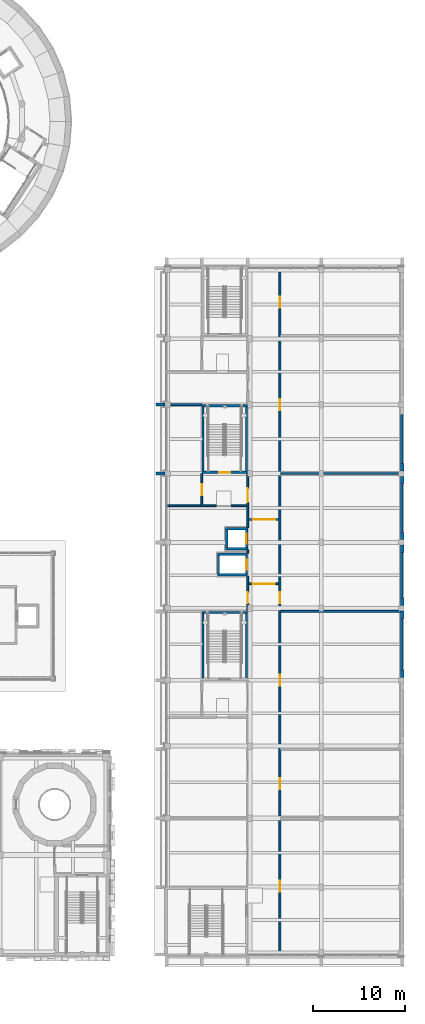
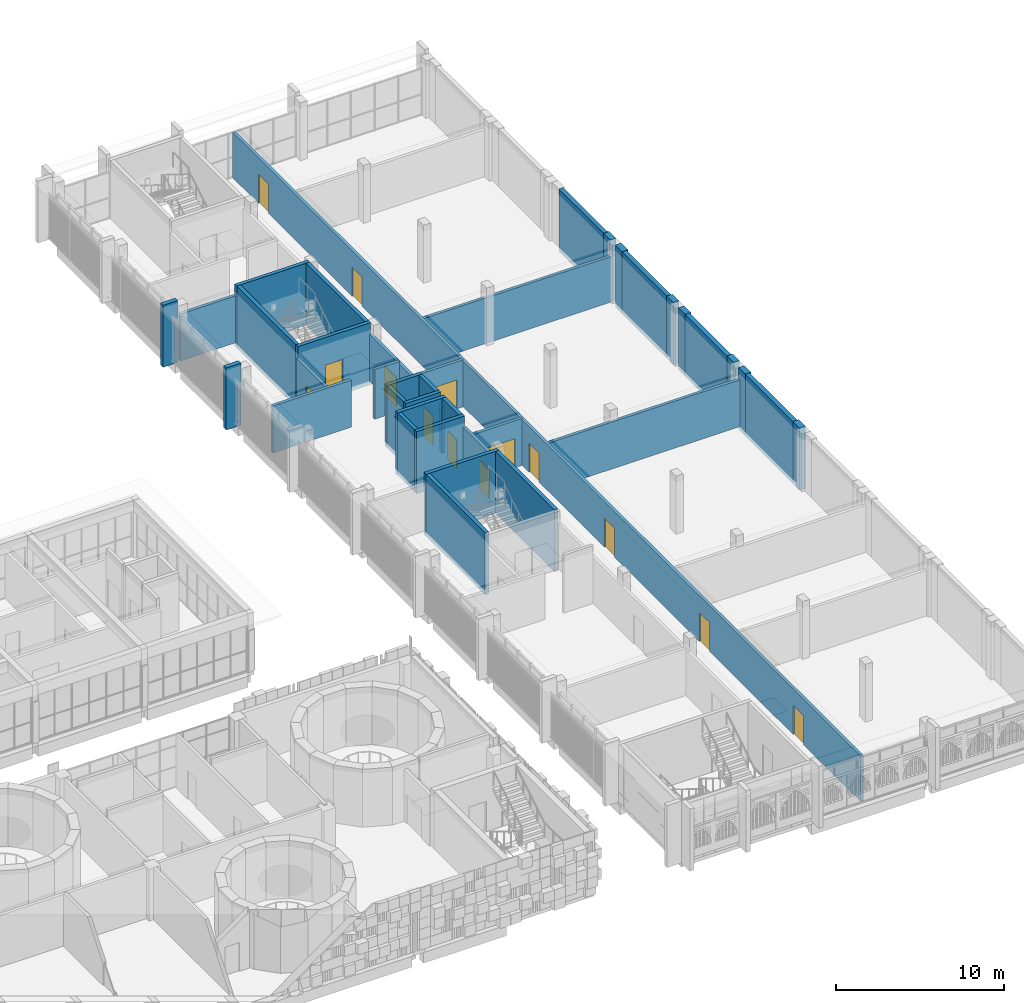
# One storey, part 51 of 92: 40 walls, 14 doors, 14 openings.
"""IFC4 building model written with IfcOpenShell, lengths in metres."""

from ifc_helpers import new_model, si_unit, direction, frame, frame_2d, origin, place, context, subcontext, project, spatial, rectangle, extrude, material, layer, layer_set, type_object, element, fill, save


model = new_model("IFC4")

# Units and contexts
model_context = context("Model", 3, precision=1e-05, world=origin(), true_north=direction((0.0, 1.0)))
body_context = subcontext(model_context, "Body", "Model", "MODEL_VIEW")
ifc_project = project(units=[si_unit("LENGTHUNIT", "METRE"), si_unit("AREAUNIT", "SQUARE_METRE"), si_unit("VOLUMEUNIT", "CUBIC_METRE"), si_unit("PLANEANGLEUNIT", "RADIAN"), si_unit("MASSUNIT", "GRAM", prefix="KILO")], contexts=[model_context])

# Site, building, storey
site_placement = place(None, origin())
site = spatial("IfcSite", under=ifc_project, at=site_placement, CompositionType="ELEMENT")
building_placement = place(site_placement, origin())
building = spatial("IfcBuilding", under=site, at=building_placement, Name="Sun Court Science Centre", CompositionType="ELEMENT")
storey_placement = place(building_placement, frame((0.0, 0.0, 11.25)))
storey = spatial("IfcBuildingStorey", under=building, at=storey_placement, Name="L02", CompositionType="ELEMENT", Elevation=11.25)

# Walls
ifc_material_1 = material(Name="Concrete C30/37", Category="concrete")
ifc_layer_1 = layer(ifc_material_1, 0.300048828125)
ifc_layer_set_1 = layer_set([ifc_layer_1], Name="Concrete C30/37")
wall_type_1 = type_object("IfcWallType", Name="Facade fin RC 300", PredefinedType="SOLIDWALL", material=ifc_layer_set_1)
for number, where, z_axis, x_axis, name in (
    (1, (77.0, 58.5, 0.0), (0.0, 0.0, 1.0), (1.0, 0.0, 0.0), "Facade fin 08 L02"),
    (2, (77.0, 66.0, 0.0), (0.0, 0.0, 1.0), (1.0, 0.0, 0.0), "Facade fin 09 L02"),
):
    element("IfcWall", number, at=place(storey_placement, frame(where, z_axis=z_axis, x_axis=x_axis)), inside=storey, type_object=wall_type_1, Name=name, PredefinedType="SOLIDWALL", context=body_context, shape_type="SweptSolid", body=[
        extrude(rectangle(XDim=1.0, YDim=0.300048828125, at=frame_2d((0.5, 0.0))), origin(), (0.0, 0.0, 1.0), 4.5),
    ])
ifc_material_2 = material(Name="Gypsum board")
ifc_layer_2 = layer(ifc_material_2, 0.199951171875)
ifc_layer_set_2 = layer_set([ifc_layer_2], Name="Gypsum board")
wall_type_2 = type_object("IfcWallType", Name="Partition 200 acoustic double stud", PredefinedType="PARTITIONING", material=ifc_layer_set_2)
wall_1_placement = place(storey_placement, frame((90.60009765625, 43.5, 0.0), z_axis=(0.0, 0.0, 1.0), x_axis=(1.0, 0.0, 0.0)))
element("IfcWall", 3, at=wall_1_placement, inside=storey, type_object=wall_type_2, Name="L02 partition 007", PredefinedType="PARTITIONING", context=body_context, shape_type="SweptSolid", body=[
    extrude(rectangle(XDim=12.997802734375, YDim=0.199951171875, at=frame_2d((6.4990234375, 0.0))), origin(), (0.0, 0.0, 1.0), 3.39990234375),
])
wall_2_placement = place(storey_placement, frame((90.60009765625, 58.5, 0.0), z_axis=(0.0, 0.0, 1.0), x_axis=(1.0, 0.0, 0.0)))
element("IfcWall", 4, at=wall_2_placement, inside=storey, type_object=wall_type_2, Name="L02 partition 012", PredefinedType="PARTITIONING", context=body_context, shape_type="SweptSolid", body=[
    extrude(rectangle(XDim=13.199951171875, YDim=0.199951171875, at=frame_2d((6.60009765625, 0.0))), origin(), (0.0, 0.0, 1.0), 3.300048828125),
])
wall_3_placement = place(storey_placement, frame((78.199951171875, 66.0, 0.0), z_axis=(0.0, 0.0, 1.0), x_axis=(1.0, 0.0, 0.0)))
element("IfcWall", 5, at=wall_3_placement, inside=storey, type_object=wall_type_2, Name="L02 partition 013", PredefinedType="PARTITIONING", context=body_context, shape_type="SweptSolid", body=[
    extrude(rectangle(XDim=3.798095703125, YDim=0.199951171875, at=frame_2d((1.89892578125, 0.0))), origin(), (0.0, 0.0, 1.0), 3.39990234375),
])
ifc_material_3 = material(Name="Concrete block", Category="concrete")
ifc_layer_3 = layer(ifc_material_3, 0.199951171875)
ifc_layer_set_3 = layer_set([ifc_layer_3], Name="Concrete block")
wall_type_3 = type_object("IfcWallType", Name="Partition 200 block EI60", PredefinedType="PARTITIONING", material=ifc_layer_set_3)
wall_4_placement = place(storey_placement, frame((78.199951171875, 55.0, 0.0), z_axis=(0.0, 0.0, 1.0), x_axis=(1.0, 0.0, 0.0)))
element("IfcWall", 6, at=wall_4_placement, inside=storey, type_object=wall_type_3, Name="L02 partition 010", PredefinedType="PARTITIONING", context=body_context, shape_type="SweptSolid", body=[
    extrude(rectangle(XDim=5.400146484375, YDim=0.199951171875, at=frame_2d((2.7001953125, 0.0))), origin(), (0.0, 0.0, 1.0), 3.39990234375),
])
wall_5_placement = place(storey_placement, frame((85.199951171875, 55.0, 0.0), z_axis=(0.0, 0.0, 1.0), x_axis=(1.0, 0.0, 0.0)))
element("IfcWall", 7, at=wall_5_placement, inside=storey, type_object=wall_type_3, Name="L02 partition 011", PredefinedType="PARTITIONING", context=body_context, shape_type="SweptSolid", body=[
    extrude(rectangle(XDim=1.699951171875, YDim=0.199951171875, at=frame_2d((0.85009765625, 0.0))), origin(), (0.0, 0.0, 1.0), 3.60009765625),
])
wall_6_placement = place(storey_placement, frame((87.0, 49.85205078125, 0.0), z_axis=(0.0, 0.0, 1.0), x_axis=(0.0, 1.0, 0.0)))
element("IfcWall", 8, at=wall_6_placement, inside=storey, type_object=wall_type_3, Name="L02 partition 020", PredefinedType="PARTITIONING", context=body_context, shape_type="SweptSolid", body=[
    extrude(rectangle(XDim=0.33349609375, YDim=0.199951171875, at=frame_2d((0.166748046875, 0.0))), origin(), (0.0, 0.0, 1.0), 3.39990234375),
])

# Wall, opening, door
wall_7_placement = place(storey_placement, frame((82.0, 55.10009765625, 0.0), z_axis=(0.0, 0.0, 1.0), x_axis=(0.0, 1.0, 0.0)))
wall_7 = element("IfcWall", 9, at=wall_7_placement, inside=storey, type_object=wall_type_3, Name="L02 partition 024", PredefinedType="PARTITIONING", context=body_context, shape_type="SweptSolid", body=[
    extrude(rectangle(XDim=3.39794921875, YDim=0.199951171875, at=frame_2d((1.698974609375, 0.0))), origin(), (0.0, 0.0, 1.0), 3.39990234375),
])
opening_1_placement = place(wall_7_placement, frame((1.051025390625, 0.0, 0.0)))
opening_1 = element("IfcOpeningElement", 10, at=opening_1_placement, cuts=wall_7, Name="Opening D-L02-042", PredefinedType="OPENING", context=body_context, shape_type="SweptSolid", body=[
    extrude(rectangle(XDim=1.199951171875, YDim=2.10009765625, at=frame_2d((0.60009765625, 1.050048828125))), frame((0.0, 0.10986328125, 0.0), z_axis=(0.0, -1.0, 0.0), x_axis=(1.0, 0.0, 0.0)), (0.0, 0.0, 1.0), 0.219970703125),
])
ifc_material_4 = material(Name="Timber", Category="wood")
door_type_1 = type_object("IfcDoorType", Name="Door 1200x2100 single leaf", OperationType="NOTDEFINED", PredefinedType="DOOR", material=ifc_material_4)
door_1_placement = place(opening_1_placement, origin())
door_1 = element("IfcDoor", 11, at=door_1_placement, inside=storey, type_object=door_type_1, Name="Door D-L02-042", OperationType="SINGLE_SWING_RIGHT", OverallHeight=2.10009765625, OverallWidth=1.199951171875, PredefinedType="DOOR", context=body_context, shape_type="SweptSolid", body=[
    extrude(rectangle(XDim=1.199951171875, YDim=2.10009765625, at=frame_2d((0.60009765625, 1.050048828125))), frame((0.0, 0.02490234375, 0.0), z_axis=(0.0, -1.0, 0.0), x_axis=(1.0, 0.0, 0.0)), (0.0, 0.0, 1.0), 0.050048828125),
])
fill(opening_1, door_1)

ifc_material_5 = material(Name="Concrete block", Category="concrete")
ifc_layer_4 = layer(ifc_material_5, 0.199951171875)
ifc_layer_set_4 = layer_set([ifc_layer_4], Name="Concrete block")
wall_type_4 = type_object("IfcWallType", Name="Partition 200 corridor block EI120", PredefinedType="PARTITIONING", material=ifc_layer_set_4)
wall_8_placement = place(storey_placement, frame((90.39990234375, 46.5, 0.0), z_axis=(0.0, 0.0, 1.0), x_axis=(-1.0, 0.0, 0.0)))
wall_8 = element("IfcWall", 12, at=wall_8_placement, inside=storey, type_object=wall_type_4, Name="L02 partition 008", PredefinedType="PARTITIONING", context=body_context, shape_type="SweptSolid", body=[
    extrude(rectangle(XDim=3.2998046875, YDim=0.199951171875, at=frame_2d((1.64990234375, 0.0))), origin(), (0.0, 0.0, 1.0), 3.39990234375),
])
opening_2_placement = place(wall_8_placement, frame((0.47705078125, 0.0, 0.0)))
opening_2 = element("IfcOpeningElement", 13, at=opening_2_placement, cuts=wall_8, Name="Opening D-L02-030", PredefinedType="OPENING", context=body_context, shape_type="SweptSolid", body=[
    extrude(rectangle(XDim=2.39990234375, YDim=2.10009765625, at=frame_2d((1.199951171875, 1.050048828125))), frame((0.0, 0.10986328125, 0.0), z_axis=(0.0, -1.0, 0.0), x_axis=(1.0, 0.0, 0.0)), (0.0, 0.0, 1.0), 0.219970703125),
])
ifc_material_6 = material(Name="Steel", Category="steel")
door_type_2 = type_object("IfcDoorType", Name="Door 2400x2100 double leaf FD60", OperationType="DOUBLE_DOOR_SINGLE_SWING", PredefinedType="DOOR", material=ifc_material_6)
door_2_placement = place(opening_2_placement, origin())
door_2 = element("IfcDoor", 14, at=door_2_placement, inside=storey, type_object=door_type_2, Name="Door D-L02-030", OperationType="DOUBLE_DOOR_SINGLE_SWING", OverallHeight=2.10009765625, OverallWidth=2.39990234375, PredefinedType="DOOR", context=body_context, shape_type="SweptSolid", body=[
    extrude(rectangle(XDim=2.39990234375, YDim=2.10009765625, at=frame_2d((1.199951171875, 1.050048828125))), frame((0.0, 0.02490234375, 0.0), z_axis=(0.0, -1.0, 0.0), x_axis=(1.0, 0.0, 0.0)), (0.0, 0.0, 1.0), 0.050048828125),
])
fill(opening_2, door_2)

wall_9_placement = place(storey_placement, frame((87.10009765625, 53.5, 0.0), z_axis=(0.0, 0.0, 1.0), x_axis=(1.0, 0.0, 0.0)))
wall_9 = element("IfcWall", 15, at=wall_9_placement, inside=storey, type_object=wall_type_4, Name="L02 partition 009", PredefinedType="PARTITIONING", context=body_context, shape_type="SweptSolid", body=[
    extrude(rectangle(XDim=3.2998046875, YDim=0.199951171875, at=frame_2d((1.64990234375, 0.0))), origin(), (0.0, 0.0, 1.0), 3.39990234375),
])
opening_3_placement = place(wall_9_placement, frame((0.47705078125, 0.0, 0.0)))
opening_3 = element("IfcOpeningElement", 16, at=opening_3_placement, cuts=wall_9, Name="Opening D-L02-027", PredefinedType="OPENING", context=body_context, shape_type="SweptSolid", body=[
    extrude(rectangle(XDim=2.39990234375, YDim=2.10009765625, at=frame_2d((1.199951171875, 1.050048828125))), frame((0.0, 0.10986328125, 0.0), z_axis=(0.0, -1.0, 0.0), x_axis=(1.0, 0.0, 0.0)), (0.0, 0.0, 1.0), 0.219970703125),
])
door_3_placement = place(opening_3_placement, origin())
door_3 = element("IfcDoor", 17, at=door_3_placement, inside=storey, type_object=door_type_2, Name="Door D-L02-027", OperationType="DOUBLE_DOOR_SINGLE_SWING", OverallHeight=2.10009765625, OverallWidth=2.39990234375, PredefinedType="DOOR", context=body_context, shape_type="SweptSolid", body=[
    extrude(rectangle(XDim=2.39990234375, YDim=2.10009765625, at=frame_2d((1.199951171875, 1.050048828125))), frame((0.0, 0.02490234375, 0.0), z_axis=(0.0, -1.0, 0.0), x_axis=(1.0, 0.0, 0.0)), (0.0, 0.0, 1.0), 0.050048828125),
])
fill(opening_3, door_3)

# Wall, openings, doors
wall_10_placement = place(storey_placement, frame((90.5, 80.800048828125, 0.0), z_axis=(0.0, 0.0, 1.0), x_axis=(0.0, -1.0, 0.0)))
wall_10 = element("IfcWall", 18, at=wall_10_placement, inside=storey, type_object=wall_type_4, Name="L02 partition 017", PredefinedType="PARTITIONING", context=body_context, shape_type="SweptSolid", body=[
    extrude(rectangle(XDim=74.60009765625, YDim=0.199951171875, at=frame_2d((37.300048828125, 0.0))), origin(), (0.0, 0.0, 1.0), 3.300048828125),
])
opening_4_placement = place(wall_10_placement, frame((66.60009765625, 0.0, 0.0)))
opening_4 = element("IfcOpeningElement", 19, at=opening_4_placement, cuts=wall_10, Name="Opening D-L02-045", PredefinedType="OPENING", context=body_context, shape_type="SweptSolid", body=[
    extrude(rectangle(XDim=1.199951171875, YDim=2.10009765625, at=frame_2d((0.60009765625, 1.050048828125))), frame((0.0, 0.10986328125, 0.0), z_axis=(0.0, -1.0, 0.0), x_axis=(1.0, 0.0, 0.0)), (0.0, 0.0, 1.0), 0.219970703125),
])
opening_5_placement = place(wall_10_placement, frame((55.449951171875, 0.0, 0.0)))
opening_5 = element("IfcOpeningElement", 20, at=opening_5_placement, cuts=wall_10, Name="Opening D-L02-046", PredefinedType="OPENING", context=body_context, shape_type="SweptSolid", body=[
    extrude(rectangle(XDim=1.199951171875, YDim=2.10009765625, at=frame_2d((0.60009765625, 1.050048828125))), frame((0.0, 0.10986328125, 0.0), z_axis=(0.0, -1.0, 0.0), x_axis=(1.0, 0.0, 0.0)), (0.0, 0.0, 1.0), 0.219970703125),
])
opening_6_placement = place(wall_10_placement, frame((44.199951171875, 0.0, 0.0)))
opening_6 = element("IfcOpeningElement", 21, at=opening_6_placement, cuts=wall_10, Name="Opening D-L02-047", PredefinedType="OPENING", context=body_context, shape_type="SweptSolid", body=[
    extrude(rectangle(XDim=1.199951171875, YDim=2.10009765625, at=frame_2d((0.60009765625, 1.050048828125))), frame((0.0, 0.10986328125, 0.0), z_axis=(0.0, -1.0, 0.0), x_axis=(1.0, 0.0, 0.0)), (0.0, 0.0, 1.0), 0.219970703125),
])
opening_7_placement = place(wall_10_placement, frame((35.198974609375, 0.0, 0.0)))
opening_7 = element("IfcOpeningElement", 22, at=opening_7_placement, cuts=wall_10, Name="Opening D-L02-048", PredefinedType="OPENING", context=body_context, shape_type="SweptSolid", body=[
    extrude(rectangle(XDim=1.199951171875, YDim=2.10009765625, at=frame_2d((0.60009765625, 1.050048828125))), frame((0.0, 0.10986328125, 0.0), z_axis=(0.0, -1.0, 0.0), x_axis=(1.0, 0.0, 0.0)), (0.0, 0.0, 1.0), 0.219970703125),
])
opening_8_placement = place(wall_10_placement, frame((14.199951171875, 0.0, 0.0)))
opening_8 = element("IfcOpeningElement", 23, at=opening_8_placement, cuts=wall_10, Name="Opening D-L02-049", PredefinedType="OPENING", context=body_context, shape_type="SweptSolid", body=[
    extrude(rectangle(XDim=1.199951171875, YDim=2.10009765625, at=frame_2d((0.60009765625, 1.050048828125))), frame((0.0, 0.10986328125, 0.0), z_axis=(0.0, -1.0, 0.0), x_axis=(1.0, 0.0, 0.0)), (0.0, 0.0, 1.0), 0.219970703125),
])
opening_9_placement = place(wall_10_placement, frame((3.074951171875, 0.0, 0.0)))
opening_9 = element("IfcOpeningElement", 24, at=opening_9_placement, cuts=wall_10, Name="Opening D-L02-050", PredefinedType="OPENING", context=body_context, shape_type="SweptSolid", body=[
    extrude(rectangle(XDim=1.199951171875, YDim=2.10009765625, at=frame_2d((0.60009765625, 1.050048828125))), frame((0.0, 0.10986328125, 0.0), z_axis=(0.0, -1.0, 0.0), x_axis=(1.0, 0.0, 0.0)), (0.0, 0.0, 1.0), 0.219970703125),
])
ifc_material_7 = material(Name="Steel", Category="steel")
door_type_3 = type_object("IfcDoorType", Name="Door 1200x2100 single leaf FD60", OperationType="NOTDEFINED", PredefinedType="DOOR", material=ifc_material_7)
door_4_placement = place(opening_4_placement, origin())
door_4 = element("IfcDoor", 25, at=door_4_placement, inside=storey, type_object=door_type_3, Name="Door D-L02-045", OperationType="SINGLE_SWING_LEFT", OverallHeight=2.10009765625, OverallWidth=1.199951171875, PredefinedType="DOOR", context=body_context, shape_type="SweptSolid", body=[
    extrude(rectangle(XDim=1.199951171875, YDim=2.10009765625, at=frame_2d((0.60009765625, 1.050048828125))), frame((0.0, 0.02490234375, 0.0), z_axis=(0.0, -1.0, 0.0), x_axis=(1.0, 0.0, 0.0)), (0.0, 0.0, 1.0), 0.050048828125),
])
fill(opening_4, door_4)
door_5_placement = place(opening_5_placement, origin())
door_5 = element("IfcDoor", 26, at=door_5_placement, inside=storey, type_object=door_type_3, Name="Door D-L02-046", OperationType="SINGLE_SWING_LEFT", OverallHeight=2.10009765625, OverallWidth=1.199951171875, PredefinedType="DOOR", context=body_context, shape_type="SweptSolid", body=[
    extrude(rectangle(XDim=1.199951171875, YDim=2.10009765625, at=frame_2d((0.60009765625, 1.050048828125))), frame((0.0, 0.02490234375, 0.0), z_axis=(0.0, -1.0, 0.0), x_axis=(1.0, 0.0, 0.0)), (0.0, 0.0, 1.0), 0.050048828125),
])
fill(opening_5, door_5)
door_6_placement = place(opening_6_placement, origin())
door_6 = element("IfcDoor", 27, at=door_6_placement, inside=storey, type_object=door_type_3, Name="Door D-L02-047", OperationType="SINGLE_SWING_LEFT", OverallHeight=2.10009765625, OverallWidth=1.199951171875, PredefinedType="DOOR", context=body_context, shape_type="SweptSolid", body=[
    extrude(rectangle(XDim=1.199951171875, YDim=2.10009765625, at=frame_2d((0.60009765625, 1.050048828125))), frame((0.0, 0.02490234375, 0.0), z_axis=(0.0, -1.0, 0.0), x_axis=(1.0, 0.0, 0.0)), (0.0, 0.0, 1.0), 0.050048828125),
])
fill(opening_6, door_6)
door_7_placement = place(opening_7_placement, origin())
door_7 = element("IfcDoor", 28, at=door_7_placement, inside=storey, type_object=door_type_3, Name="Door D-L02-048", OperationType="SINGLE_SWING_RIGHT", OverallHeight=2.10009765625, OverallWidth=1.199951171875, PredefinedType="DOOR", context=body_context, shape_type="SweptSolid", body=[
    extrude(rectangle(XDim=1.199951171875, YDim=2.10009765625, at=frame_2d((0.60009765625, 1.050048828125))), frame((0.0, 0.02490234375, 0.0), z_axis=(0.0, -1.0, 0.0), x_axis=(1.0, 0.0, 0.0)), (0.0, 0.0, 1.0), 0.050048828125),
])
fill(opening_7, door_7)
door_8_placement = place(opening_8_placement, origin())
door_8 = element("IfcDoor", 29, at=door_8_placement, inside=storey, type_object=door_type_3, Name="Door D-L02-049", OperationType="SINGLE_SWING_RIGHT", OverallHeight=2.10009765625, OverallWidth=1.199951171875, PredefinedType="DOOR", context=body_context, shape_type="SweptSolid", body=[
    extrude(rectangle(XDim=1.199951171875, YDim=2.10009765625, at=frame_2d((0.60009765625, 1.050048828125))), frame((0.0, 0.02490234375, 0.0), z_axis=(0.0, -1.0, 0.0), x_axis=(1.0, 0.0, 0.0)), (0.0, 0.0, 1.0), 0.050048828125),
])
fill(opening_8, door_8)
door_9_placement = place(opening_9_placement, origin())
door_9 = element("IfcDoor", 30, at=door_9_placement, inside=storey, type_object=door_type_3, Name="Door D-L02-050", OperationType="SINGLE_SWING_RIGHT", OverallHeight=2.10009765625, OverallWidth=1.199951171875, PredefinedType="DOOR", context=body_context, shape_type="SweptSolid", body=[
    extrude(rectangle(XDim=1.199951171875, YDim=2.10009765625, at=frame_2d((0.60009765625, 1.050048828125))), frame((0.0, 0.02490234375, 0.0), z_axis=(0.0, -1.0, 0.0), x_axis=(1.0, 0.0, 0.0)), (0.0, 0.0, 1.0), 0.050048828125),
])
fill(opening_9, door_9)

# Wall, opening, door
wall_11_placement = place(storey_placement, frame((87.0, 43.501953125, 0.0), z_axis=(0.0, 0.0, 1.0), x_axis=(0.0, 1.0, 0.0)))
wall_11 = element("IfcWall", 31, at=wall_11_placement, inside=storey, type_object=wall_type_4, Name="L02 partition 019", PredefinedType="PARTITIONING", context=body_context, shape_type="SweptSolid", body=[
    extrude(rectangle(XDim=3.845947265625, YDim=0.199951171875, at=frame_2d((1.9228515625, 0.0))), origin(), (0.0, 0.0, 1.0), 3.39990234375),
])
opening_10_placement = place(wall_11_placement, frame((0.89892578125, 0.0, 0.0)))
opening_10 = element("IfcOpeningElement", 32, at=opening_10_placement, cuts=wall_11, Name="Opening D-L02-041", PredefinedType="OPENING", context=body_context, shape_type="SweptSolid", body=[
    extrude(rectangle(XDim=1.199951171875, YDim=2.10009765625, at=frame_2d((0.60009765625, 1.050048828125))), frame((0.0, 0.10986328125, 0.0), z_axis=(0.0, -1.0, 0.0), x_axis=(1.0, 0.0, 0.0)), (0.0, 0.0, 1.0), 0.219970703125),
])
door_10_placement = place(opening_10_placement, origin())
door_10 = element("IfcDoor", 33, at=door_10_placement, inside=storey, type_object=door_type_3, Name="Door D-L02-041", OperationType="SINGLE_SWING_RIGHT", OverallHeight=2.10009765625, OverallWidth=1.199951171875, PredefinedType="DOOR", context=body_context, shape_type="SweptSolid", body=[
    extrude(rectangle(XDim=1.199951171875, YDim=2.10009765625, at=frame_2d((0.60009765625, 1.050048828125))), frame((0.0, 0.02490234375, 0.0), z_axis=(0.0, -1.0, 0.0), x_axis=(1.0, 0.0, 0.0)), (0.0, 0.0, 1.0), 0.050048828125),
])
fill(opening_10, door_10)

wall_12_placement = place(storey_placement, frame((87.0, 52.614501953125, 0.0), z_axis=(0.0, 0.0, 1.0), x_axis=(0.0, 1.0, 0.0)))
wall_12 = element("IfcWall", 34, at=wall_12_placement, inside=storey, type_object=wall_type_4, Name="L02 partition 021", PredefinedType="PARTITIONING", context=body_context, shape_type="SweptSolid", body=[
    extrude(rectangle(XDim=5.883544921875, YDim=0.199951171875, at=frame_2d((2.94189453125, 0.0))), origin(), (0.0, 0.0, 1.0), 3.39990234375),
])
opening_11_placement = place(wall_12_placement, frame((2.785400390625, 0.0, 0.0)))
opening_11 = element("IfcOpeningElement", 35, at=opening_11_placement, cuts=wall_12, Name="Opening D-L02-034", PredefinedType="OPENING", context=body_context, shape_type="SweptSolid", body=[
    extrude(rectangle(XDim=1.5, YDim=2.10009765625, at=frame_2d((0.75, 1.050048828125))), frame((0.0, 0.10986328125, 0.0), z_axis=(0.0, -1.0, 0.0), x_axis=(1.0, 0.0, 0.0)), (0.0, 0.0, 1.0), 0.219970703125),
])
ifc_material_8 = material(Name="Steel", Category="steel")
door_type_4 = type_object("IfcDoorType", Name="Door 1500x2100 double leaf FD60", OperationType="DOUBLE_DOOR_SINGLE_SWING", PredefinedType="DOOR", material=ifc_material_8)
door_11_placement = place(opening_11_placement, origin())
door_11 = element("IfcDoor", 36, at=door_11_placement, inside=storey, type_object=door_type_4, Name="Door D-L02-034", OperationType="DOUBLE_DOOR_SINGLE_SWING", OverallHeight=2.10009765625, OverallWidth=1.5, PredefinedType="DOOR", context=body_context, shape_type="SweptSolid", body=[
    extrude(rectangle(XDim=1.5, YDim=2.10009765625, at=frame_2d((0.75, 1.050048828125))), frame((0.0, 0.02490234375, 0.0), z_axis=(0.0, -1.0, 0.0), x_axis=(1.0, 0.0, 0.0)), (0.0, 0.0, 1.0), 0.050048828125),
])
fill(opening_11, door_11)

# Walls
ifc_material_9 = material(Name="Concrete C30/37", Category="concrete")
ifc_layer_5 = layer(ifc_material_9, 0.39990234375)
ifc_layer_set_5 = layer_set([ifc_layer_5], Name="Concrete C30/37")
wall_type_5 = type_object("IfcWallType", Name="RC party wall exterior 400", PredefinedType="SOLIDWALL", material=ifc_layer_set_5)
for number, where, z_axis, x_axis, name in (
    (37, (103.800048828125, 36.300048828125, -0.300048828125), (0.0, 0.0, 1.0), (0.0, 1.0, 0.0), "East party wall L02"),
    (38, (103.800048828125, 42.75, -0.300048828125), (0.0, 0.0, 1.0), (0.0, 1.0, 0.0), "East party wall L02"),
    (39, (103.800048828125, 44.14990234375, -0.300048828125), (0.0, 0.0, 1.0), (0.0, 1.0, 0.0), "East party wall L02"),
    (40, (103.800048828125, 49.89990234375, -0.300048828125), (0.0, 0.0, 1.0), (0.0, 1.0, 0.0), "East party wall L02"),
    (41, (103.800048828125, 51.300048828125, -0.300048828125), (0.0, 0.0, 1.0), (0.0, 1.0, 0.0), "East party wall L02"),
    (42, (103.800048828125, 57.39990234375, -0.300048828125), (0.0, 0.0, 1.0), (0.0, 1.0, 0.0), "East party wall L02"),
    (43, (103.800048828125, 58.800048828125, -0.300048828125), (0.0, 0.0, 1.0), (0.0, 1.0, 0.0), "East party wall L02"),
):
    element("IfcWall", number, at=place(storey_placement, frame(where, z_axis=z_axis, x_axis=x_axis)), inside=storey, type_object=wall_type_5, Name=name, PredefinedType="SOLIDWALL", context=body_context, shape_type="SweptSolid", body=[
        extrude(rectangle(XDim=0.800048828125, YDim=0.39990234375, at=frame_2d((0.39990234375, 0.0))), origin(), (0.0, 0.0, 1.0), 4.5),
    ])
ifc_material_10 = material(Name="Concrete C30/37", Category="concrete")
ifc_layer_6 = layer(ifc_material_10, 0.300048828125)
ifc_layer_set_6 = layer_set([ifc_layer_6], Name="Concrete C30/37")
wall_type_6 = type_object("IfcWallType", Name="RC party wall panel exterior 300", PredefinedType="SOLIDWALL", material=ifc_layer_set_6)
wall_13_placement = place(storey_placement, frame((103.75, 37.10009765625, -0.300048828125), z_axis=(0.0, 0.0, 1.0), x_axis=(0.0, 1.0, 0.0)))
element("IfcWall", 44, at=wall_13_placement, inside=storey, type_object=wall_type_6, Name="East party wall L02 panel", PredefinedType="SOLIDWALL", context=body_context, shape_type="SweptSolid", body=[
    extrude(rectangle(XDim=5.64990234375, YDim=0.300048828125, at=frame_2d((2.824951171875, 0.0))), origin(), (0.0, 0.0, 1.0), 4.5),
])
wall_14_placement = place(storey_placement, frame((103.75, 44.949951171875, -0.300048828125), z_axis=(0.0, 0.0, 1.0), x_axis=(0.0, 1.0, 0.0)))
element("IfcWall", 45, at=wall_14_placement, inside=storey, type_object=wall_type_6, Name="East party wall L02 panel", PredefinedType="SOLIDWALL", context=body_context, shape_type="SweptSolid", body=[
    extrude(rectangle(XDim=4.949951171875, YDim=0.300048828125, at=frame_2d((2.47509765625, 0.0))), origin(), (0.0, 0.0, 1.0), 4.5),
])
for number, where, z_axis, x_axis, name in (
    (46, (103.75, 52.10009765625, -0.300048828125), (0.0, 0.0, 1.0), (0.0, 1.0, 0.0), "East party wall L02 panel"),
    (47, (103.75, 59.60009765625, -0.300048828125), (0.0, 0.0, 1.0), (0.0, 1.0, 0.0), "East party wall L02 panel"),
):
    element("IfcWall", number, at=place(storey_placement, frame(where, z_axis=z_axis, x_axis=x_axis)), inside=storey, type_object=wall_type_6, Name=name, PredefinedType="SOLIDWALL", context=body_context, shape_type="SweptSolid", body=[
        extrude(rectangle(XDim=5.2998046875, YDim=0.300048828125, at=frame_2d((2.64990234375, 0.0))), origin(), (0.0, 0.0, 1.0), 4.5),
    ])
ifc_material_11 = material(Name="Concrete C30/37", Category="concrete")
ifc_layer_7 = layer(ifc_material_11, 0.25)
ifc_layer_set_7 = layer_set([ifc_layer_7], Name="Concrete C30/37")
wall_type_7 = type_object("IfcWallType", Name="RC shaft wall 250", PredefinedType="SHEAR", material=ifc_layer_set_7)
wall_15_placement = place(storey_placement, frame((83.699951171875, 47.47509765625, -0.300048828125), z_axis=(0.0, 0.0, 1.0), x_axis=(1.0, 0.0, 0.0)))
element("IfcWall", 48, at=wall_15_placement, inside=storey, type_object=wall_type_7, Name="Lift core LL1 wall S, L02", PredefinedType="SHEAR", context=body_context, shape_type="SweptSolid", body=[
    extrude(rectangle(XDim=3.300048828125, YDim=0.25, at=frame_2d((1.64990234375, 0.0))), origin(), (0.0, 0.0, 1.0), 4.5),
])

# Wall, opening, door
wall_16_placement = place(storey_placement, frame((86.875, 47.60009765625, -0.300048828125), z_axis=(0.0, 0.0, 1.0), x_axis=(0.0, 1.0, 0.0)))
wall_16 = element("IfcWall", 49, at=wall_16_placement, inside=storey, type_object=wall_type_7, Name="Lift core LL1 wall E, L02", PredefinedType="SHEAR", context=body_context, shape_type="SweptSolid", body=[
    extrude(rectangle(XDim=2.0, YDim=0.25, at=frame_2d((1.0, 0.0))), origin(), (0.0, 0.0, 1.0), 4.5),
])
opening_12_placement = place(wall_16_placement, frame((0.424072265625, 0.0, 0.300048828125)))
opening_12 = element("IfcOpeningElement", 50, at=opening_12_placement, cuts=wall_16, Name="Opening D-L02-028", PredefinedType="OPENING", context=body_context, shape_type="SweptSolid", body=[
    extrude(rectangle(XDim=1.10009765625, YDim=2.10009765625, at=frame_2d((0.550048828125, 1.050048828125))), frame((0.0, 0.135009765625, 0.0), z_axis=(0.0, -1.0, 0.0), x_axis=(1.0, 0.0, 0.0)), (0.0, 0.0, 1.0), 0.27001953125),
])
ifc_material_12 = material(Name="Steel", Category="steel")
door_type_5 = type_object("IfcDoorType", Name="Lift landing door 1100x2100 sliding", OperationType="DOUBLE_DOOR_SLIDING", PredefinedType="DOOR", material=ifc_material_12)
door_12_placement = place(opening_12_placement, origin())
door_12 = element("IfcDoor", 51, at=door_12_placement, inside=storey, type_object=door_type_5, Name="Lift landing door D-L02-028", OperationType="DOUBLE_DOOR_SLIDING", OverallHeight=2.10009765625, OverallWidth=1.10009765625, PredefinedType="DOOR", context=body_context, shape_type="SweptSolid", body=[
    extrude(rectangle(XDim=1.10009765625, YDim=2.10009765625, at=frame_2d((0.550048828125, 1.050048828125))), frame((0.0, 0.02490234375, 0.0), z_axis=(0.0, -1.0, 0.0), x_axis=(1.0, 0.0, 0.0)), (0.0, 0.0, 1.0), 0.050048828125),
])
fill(opening_12, door_12)

# Walls
wall_17_placement = place(storey_placement, frame((83.699951171875, 49.72509765625, -0.300048828125), z_axis=(0.0, 0.0, 1.0), x_axis=(1.0, 0.0, 0.0)))
element("IfcWall", 52, at=wall_17_placement, inside=storey, type_object=wall_type_7, Name="Lift core LL1 wall N, L02", PredefinedType="SHEAR", context=body_context, shape_type="SweptSolid", body=[
    extrude(rectangle(XDim=3.300048828125, YDim=0.25, at=frame_2d((1.64990234375, 0.0))), origin(), (0.0, 0.0, 1.0), 4.5),
])
wall_18_placement = place(storey_placement, frame((83.824951171875, 47.60009765625, -0.300048828125), z_axis=(0.0, 0.0, 1.0), x_axis=(0.0, 1.0, 0.0)))
element("IfcWall", 53, at=wall_18_placement, inside=storey, type_object=wall_type_7, Name="Lift core LL1 wall W, L02", PredefinedType="SHEAR", context=body_context, shape_type="SweptSolid", body=[
    extrude(rectangle(XDim=2.0, YDim=0.25, at=frame_2d((1.0, 0.0))), origin(), (0.0, 0.0, 1.0), 4.5),
])
wall_19_placement = place(storey_placement, frame((84.577392578125, 50.3125, -0.300048828125), z_axis=(0.0, 0.0, 1.0), x_axis=(1.0, 0.0, 0.0)))
element("IfcWall", 54, at=wall_19_placement, inside=storey, type_object=wall_type_7, Name="Lift core LL2 wall S, L02", PredefinedType="SHEAR", context=body_context, shape_type="SweptSolid", body=[
    extrude(rectangle(XDim=2.425048828125, YDim=0.25, at=frame_2d((1.21240234375, 0.0))), origin(), (0.0, 0.0, 1.0), 4.5),
])

# Wall, opening, door
wall_20_placement = place(storey_placement, frame((86.87744140625, 50.4375, -0.300048828125), z_axis=(0.0, 0.0, 1.0), x_axis=(0.0, 1.0, 0.0)))
wall_20 = element("IfcWall", 55, at=wall_20_placement, inside=storey, type_object=wall_type_7, Name="Lift core LL2 wall E, L02", PredefinedType="SHEAR", context=body_context, shape_type="SweptSolid", body=[
    extrude(rectangle(XDim=1.925048828125, YDim=0.25, at=frame_2d((0.96240234375, 0.0))), origin(), (0.0, 0.0, 1.0), 4.5),
])
opening_13_placement = place(wall_20_placement, frame((0.41259765625, 0.0, 0.300048828125)))
opening_13 = element("IfcOpeningElement", 56, at=opening_13_placement, cuts=wall_20, Name="Opening D-L02-029", PredefinedType="OPENING", context=body_context, shape_type="SweptSolid", body=[
    extrude(rectangle(XDim=1.10009765625, YDim=2.10009765625, at=frame_2d((0.550048828125, 1.050048828125))), frame((0.0, 0.135009765625, 0.0), z_axis=(0.0, -1.0, 0.0), x_axis=(1.0, 0.0, 0.0)), (0.0, 0.0, 1.0), 0.27001953125),
])
door_13_placement = place(opening_13_placement, origin())
door_13 = element("IfcDoor", 57, at=door_13_placement, inside=storey, type_object=door_type_5, Name="Lift landing door D-L02-029", OperationType="DOUBLE_DOOR_SLIDING", OverallHeight=2.10009765625, OverallWidth=1.10009765625, PredefinedType="DOOR", context=body_context, shape_type="SweptSolid", body=[
    extrude(rectangle(XDim=1.10009765625, YDim=2.10009765625, at=frame_2d((0.550048828125, 1.050048828125))), frame((0.0, 0.02490234375, 0.0), z_axis=(0.0, -1.0, 0.0), x_axis=(1.0, 0.0, 0.0)), (0.0, 0.0, 1.0), 0.050048828125),
])
fill(opening_13, door_13)

# Walls
wall_21_placement = place(storey_placement, frame((84.577392578125, 52.487548828125, -0.300048828125), z_axis=(0.0, 0.0, 1.0), x_axis=(1.0, 0.0, 0.0)))
element("IfcWall", 58, at=wall_21_placement, inside=storey, type_object=wall_type_7, Name="Lift core LL2 wall N, L02", PredefinedType="SHEAR", context=body_context, shape_type="SweptSolid", body=[
    extrude(rectangle(XDim=2.425048828125, YDim=0.25, at=frame_2d((1.21240234375, 0.0))), origin(), (0.0, 0.0, 1.0), 4.5),
])
wall_22_placement = place(storey_placement, frame((84.702392578125, 50.4375, -0.300048828125), z_axis=(0.0, 0.0, 1.0), x_axis=(0.0, 1.0, 0.0)))
element("IfcWall", 59, at=wall_22_placement, inside=storey, type_object=wall_type_7, Name="Lift core LL2 wall W, L02", PredefinedType="SHEAR", context=body_context, shape_type="SweptSolid", body=[
    extrude(rectangle(XDim=1.925048828125, YDim=0.25, at=frame_2d((0.96240234375, 0.0))), origin(), (0.0, 0.0, 1.0), 4.5),
])
ifc_material_13 = material(Name="Concrete C30/37", Category="concrete")
ifc_layer_8 = layer(ifc_material_13, 0.25)
ifc_layer_set_8 = layer_set([ifc_layer_8], Name="Concrete C30/37")
wall_type_8 = type_object("IfcWallType", Name="RC stair core wall 250", PredefinedType="SHEAR", material=ifc_layer_set_8)
wall_23_placement = place(storey_placement, frame((86.875, 36.25, -0.300048828125), z_axis=(0.0, 0.0, 1.0), x_axis=(0.0, 1.0, 0.0)))
element("IfcWall", 60, at=wall_23_placement, inside=storey, type_object=wall_type_8, Name="Stair core SL2 wall E, L02", PredefinedType="SHEAR", context=body_context, shape_type="SweptSolid", body=[
    extrude(rectangle(XDim=7.0, YDim=0.25, at=frame_2d((3.5, 0.0))), origin(), (0.0, 0.0, 1.0), 4.5),
])
wall_24_placement = place(storey_placement, frame((82.0, 43.375, -0.300048828125), z_axis=(0.0, 0.0, 1.0), x_axis=(1.0, 0.0, 0.0)))
element("IfcWall", 61, at=wall_24_placement, inside=storey, type_object=wall_type_8, Name="Stair core SL2 wall N, L02", PredefinedType="SHEAR", context=body_context, shape_type="SweptSolid", body=[
    extrude(rectangle(XDim=5.0, YDim=0.25, at=frame_2d((2.5, 0.0))), origin(), (0.0, 0.0, 1.0), 4.5),
])
wall_25_placement = place(storey_placement, frame((82.125, 36.25, -0.300048828125), z_axis=(0.0, 0.0, 1.0), x_axis=(0.0, 1.0, 0.0)))
element("IfcWall", 62, at=wall_25_placement, inside=storey, type_object=wall_type_8, Name="Stair core SL2 wall W, L02", PredefinedType="SHEAR", context=body_context, shape_type="SweptSolid", body=[
    extrude(rectangle(XDim=7.0, YDim=0.25, at=frame_2d((3.5, 0.0))), origin(), (0.0, 0.0, 1.0), 4.5),
])

# Wall, opening, door
wall_26_placement = place(storey_placement, frame((82.0, 58.625, -0.300048828125), z_axis=(0.0, 0.0, 1.0), x_axis=(1.0, 0.0, 0.0)))
wall_26 = element("IfcWall", 63, at=wall_26_placement, inside=storey, type_object=wall_type_8, Name="Stair core SL3 wall S, L02", PredefinedType="SHEAR", context=body_context, shape_type="SweptSolid", body=[
    extrude(rectangle(XDim=5.0, YDim=0.25, at=frame_2d((2.5, 0.0))), origin(), (0.0, 0.0, 1.0), 4.5),
])
opening_14_placement = place(wall_26_placement, frame((1.89990234375, 0.0, 0.300048828125)))
opening_14 = element("IfcOpeningElement", 64, at=opening_14_placement, cuts=wall_26, Name="Opening D-L02-033", PredefinedType="OPENING", context=body_context, shape_type="SweptSolid", body=[
    extrude(rectangle(XDim=1.199951171875, YDim=2.199951171875, at=frame_2d((0.60009765625, 1.10009765625))), frame((0.0, 0.135009765625, 0.0), z_axis=(0.0, -1.0, 0.0), x_axis=(1.0, 0.0, 0.0)), (0.0, 0.0, 1.0), 0.27001953125),
])
ifc_material_14 = material(Name="Steel", Category="steel")
door_type_6 = type_object("IfcDoorType", Name="Door 1200x2200 single leaf FD60", OperationType="NOTDEFINED", PredefinedType="DOOR", material=ifc_material_14)
door_14_placement = place(opening_14_placement, origin())
door_14 = element("IfcDoor", 65, at=door_14_placement, inside=storey, type_object=door_type_6, Name="Door D-L02-033", OperationType="SINGLE_SWING_LEFT", OverallHeight=2.199951171875, OverallWidth=1.199951171875, PredefinedType="DOOR", context=body_context, shape_type="SweptSolid", body=[
    extrude(rectangle(XDim=1.199951171875, YDim=2.199951171875, at=frame_2d((0.60009765625, 1.10009765625))), frame((0.0, 0.02490234375, 0.0), z_axis=(0.0, -1.0, 0.0), x_axis=(1.0, 0.0, 0.0)), (0.0, 0.0, 1.0), 0.050048828125),
])
fill(opening_14, door_14)

# Walls
wall_27_placement = place(storey_placement, frame((86.875, 58.75, -0.300048828125), z_axis=(0.0, 0.0, 1.0), x_axis=(0.0, 1.0, 0.0)))
element("IfcWall", 66, at=wall_27_placement, inside=storey, type_object=wall_type_8, Name="Stair core SL3 wall E, L02", PredefinedType="SHEAR", context=body_context, shape_type="SweptSolid", body=[
    extrude(rectangle(XDim=7.0, YDim=0.25, at=frame_2d((3.5, 0.0))), origin(), (0.0, 0.0, 1.0), 4.5),
])
wall_28_placement = place(storey_placement, frame((82.0, 65.875, -0.300048828125), z_axis=(0.0, 0.0, 1.0), x_axis=(1.0, 0.0, 0.0)))
element("IfcWall", 67, at=wall_28_placement, inside=storey, type_object=wall_type_8, Name="Stair core SL3 wall N, L02", PredefinedType="SHEAR", context=body_context, shape_type="SweptSolid", body=[
    extrude(rectangle(XDim=5.0, YDim=0.25, at=frame_2d((2.5, 0.0))), origin(), (0.0, 0.0, 1.0), 4.5),
])
wall_29_placement = place(storey_placement, frame((82.125, 58.75, -0.300048828125), z_axis=(0.0, 0.0, 1.0), x_axis=(0.0, 1.0, 0.0)))
element("IfcWall", 68, at=wall_29_placement, inside=storey, type_object=wall_type_8, Name="Stair core SL3 wall W, L02", PredefinedType="SHEAR", context=body_context, shape_type="SweptSolid", body=[
    extrude(rectangle(XDim=7.0, YDim=0.25, at=frame_2d((3.5, 0.0))), origin(), (0.0, 0.0, 1.0), 4.5),
])

save(model, "model.ifc")
